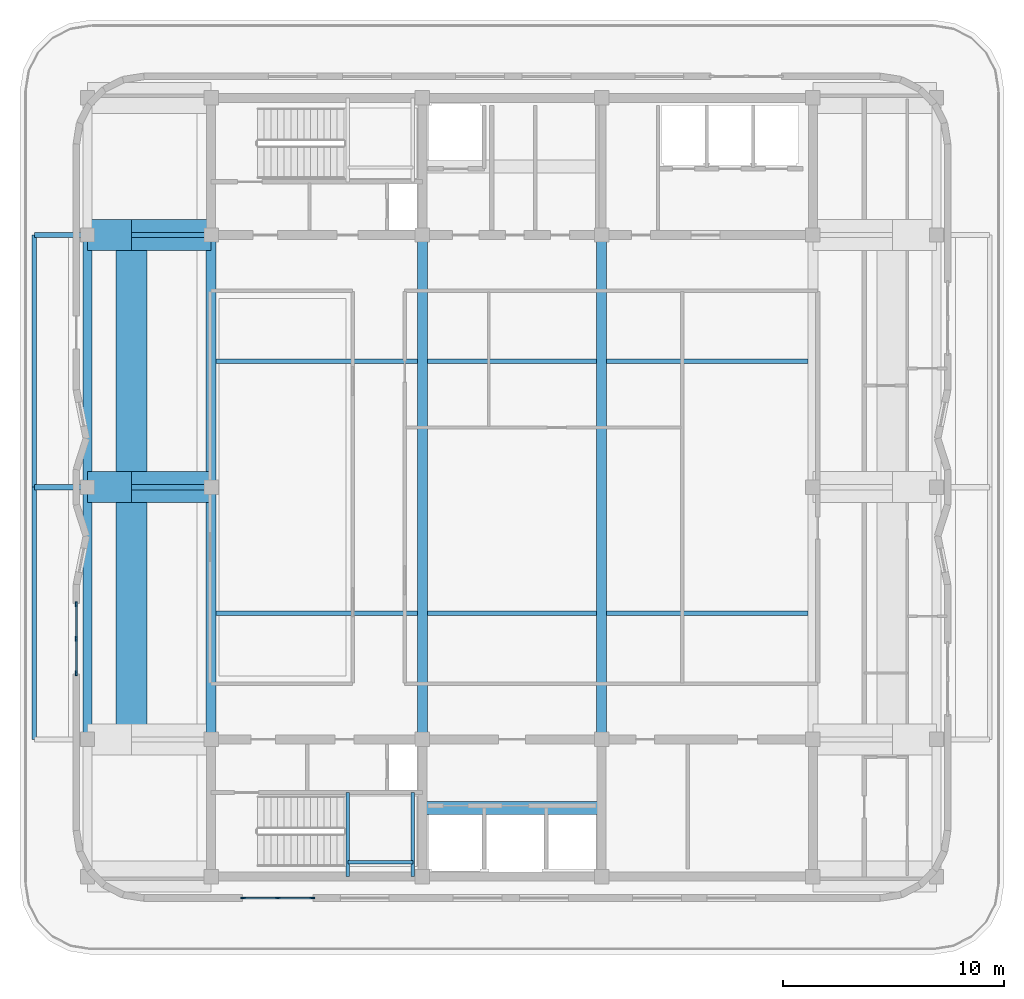
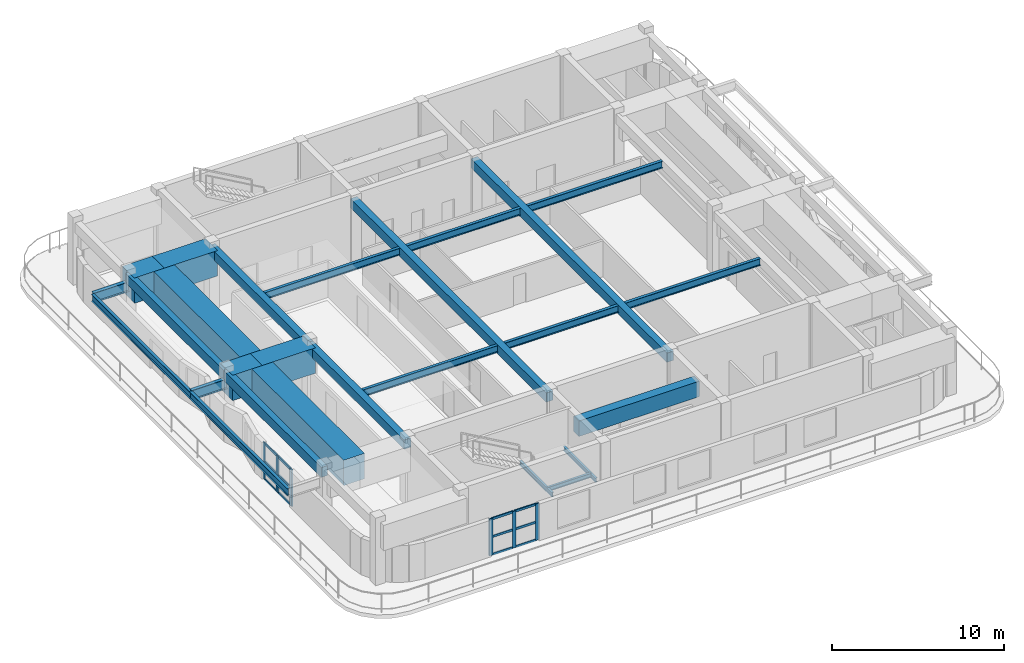
# One storey, part 2 of 12: 26 beams, 18 members, 2 elements without a shape of their own.
"""IFC4 building model written with IfcOpenShell, lengths in metres."""

from ifc_helpers import new_model, si_unit, direction, frame, origin, origin_2d, place, context, subcontext, project, spatial, rectangle, i_section, extrude, material, material_profile, profile_set, type_object, element, aggregate, save


model = new_model("IFC4")

# Units and contexts
model_context = context("Model", 3, precision=1e-05, world=origin(), true_north=direction((0.0, 1.0)))
body_context = subcontext(model_context, "Body", "Model", "MODEL_VIEW")
ifc_project = project(units=[si_unit("LENGTHUNIT", "METRE"), si_unit("AREAUNIT", "SQUARE_METRE"), si_unit("VOLUMEUNIT", "CUBIC_METRE"), si_unit("PLANEANGLEUNIT", "RADIAN"), si_unit("MASSUNIT", "GRAM", prefix="KILO")], contexts=[model_context])

# Site, building, storey
site_placement = place(None, origin())
site = spatial("IfcSite", under=ifc_project, at=site_placement, CompositionType="ELEMENT")
building_placement = place(site_placement, origin())
building = spatial("IfcBuilding", under=site, at=building_placement, Name="Svetorya Sky Lyceum", CompositionType="ELEMENT")
storey_placement = place(building_placement, frame((0.0, 0.0, 297.199951171875)))
storey = spatial("IfcBuildingStorey", under=building, at=storey_placement, Name="L75", CompositionType="ELEMENT", Elevation=297.199951171875)

# Beams
ifc_material_1 = material(Name="Concrete C60/75", Category="concrete")
ifc_material_profile_1 = material_profile(ifc_material_1, rectangle(XDim=0.60009765625, YDim=1.10009765625, at=origin_2d()), Name="RC COUPLING 600x1100")
ifc_profile_set_1 = profile_set([ifc_material_profile_1], Name="Concrete C60/75")
beam_type_1 = type_object("IfcBeamType", Name="BM-CPL-1100", PredefinedType="LINTEL", material=ifc_profile_set_1)
beam_1_placement = place(storey_placement, frame((35.14990234375, 13.699951171875, 3.85009765625), z_axis=(1.0, 0.0, 0.0), x_axis=(0.0, 1.0, 0.0)))
element("IfcBeam", 1, at=beam_1_placement, inside=storey, type_object=beam_type_1, Name="L75 SC Core Coupling Beam", PredefinedType="LINTEL", context=body_context, shape_type="SweptSolid", body=[
    extrude(rectangle(XDim=0.60009765625, YDim=1.10009765625, at=origin_2d()), origin(), (0.0, 0.0, 1.0), 8.10009765625),
])
ifc_material_2 = material(Name="Concrete C40/50", Category="concrete")
ifc_material_profile_2 = material_profile(ifc_material_2, rectangle(XDim=0.449951171875, YDim=0.64990234375, at=origin_2d()), Name="RC BEAM 450x650")
ifc_profile_set_2 = profile_set([ifc_material_profile_2], Name="Concrete C40/50")
beam_type_2 = type_object("IfcBeamType", Name="BM-RC-650", PredefinedType="BEAM", material=ifc_profile_set_2)
beam_2_placement = place(storey_placement, frame((25.60009765625, 16.800048828125, 4.074951171875), z_axis=(0.0, 1.0, 0.0), x_axis=(-1.0, 0.0, 0.0)))
element("IfcBeam", 2, at=beam_2_placement, inside=storey, type_object=beam_type_2, Name="L75 Central Bay Primary Girder CG-1A", PredefinedType="BEAM", context=body_context, shape_type="SweptSolid", body=[
    extrude(rectangle(XDim=0.449951171875, YDim=0.64990234375, at=origin_2d()), origin(), (0.0, 0.0, 1.0), 11.39990234375),
])
beam_3_placement = place(storey_placement, frame((25.60009765625, 28.199951171875, 4.074951171875), z_axis=(0.0, 1.0, 0.0), x_axis=(-1.0, 0.0, 0.0)))
element("IfcBeam", 3, at=beam_3_placement, inside=storey, type_object=beam_type_2, Name="L75 Central Bay Primary Girder CG-1B", PredefinedType="BEAM", context=body_context, shape_type="SweptSolid", body=[
    extrude(rectangle(XDim=0.449951171875, YDim=0.64990234375, at=origin_2d()), origin(), (0.0, 0.0, 1.0), 11.400146484375),
])
for number, where, z_axis, x_axis, name in (
    (4, (35.14990234375, 16.800048828125, 4.074951171875), (0.0, 1.0, 0.0), (-1.0, 0.0, 0.0), "L75 Central Bay Primary Girder CG-2"),
    (5, (43.25, 16.800048828125, 4.074951171875), (0.0, 1.0, 0.0), (-1.0, 0.0, 0.0), "L75 Central Bay Primary Girder CG-3"),
):
    element("IfcBeam", number, at=place(storey_placement, frame(where, z_axis=z_axis, x_axis=x_axis)), inside=storey, type_object=beam_type_2, Name=name, PredefinedType="BEAM", context=body_context, shape_type="SweptSolid", body=[
        extrude(rectangle(XDim=0.449951171875, YDim=0.64990234375, at=origin_2d()), origin(), (0.0, 0.0, 1.0), 22.800048828125),
    ])
ifc_material_3 = material(Name="Concrete C50/60", Category="concrete")
ifc_material_profile_3 = material_profile(ifc_material_3, rectangle(XDim=0.39990234375, YDim=0.699951171875, at=origin_2d()), Name="RC SPANDREL 400x700")
ifc_profile_set_3 = profile_set([ifc_material_profile_3], Name="Concrete C50/60")
beam_type_3 = type_object("IfcBeamType", Name="BM-SPN-700", PredefinedType="SPANDREL", material=ifc_profile_set_3)
beam_4_placement = place(storey_placement, frame((20.010009765625, 16.800048828125, 4.050048828125), z_axis=(0.0, 1.0, 0.0), x_axis=(-1.0, 0.0, 0.0)))
element("IfcBeam", 6, at=beam_4_placement, inside=storey, type_object=beam_type_3, Name="L75 West Spandrel 2", PredefinedType="SPANDREL", context=body_context, shape_type="SweptSolid", body=[
    extrude(rectangle(XDim=0.39990234375, YDim=0.699951171875, at=origin_2d()), origin(), (0.0, 0.0, 1.0), 11.39990234375),
])
beam_5_placement = place(storey_placement, frame((20.010009765625, 28.199951171875, 4.050048828125), z_axis=(0.0, 1.0, 0.0), x_axis=(-1.0, 0.0, 0.0)))
element("IfcBeam", 7, at=beam_5_placement, inside=storey, type_object=beam_type_3, Name="L75 West Spandrel 3", PredefinedType="SPANDREL", context=body_context, shape_type="SweptSolid", body=[
    extrude(rectangle(XDim=0.39990234375, YDim=0.699951171875, at=origin_2d()), origin(), (0.0, 0.0, 1.0), 11.400146484375),
])
ifc_material_4 = material(Name="Steel S355", Category="steel")
ifc_material_profile_4 = material_profile(ifc_material_4, i_section(OverallWidth=0.14990234375, OverallDepth=0.299072265625, WebThickness=0.006591796875, FlangeThickness=0.010498046875, at=origin_2d()), Name="GOST 30B2")
ifc_profile_set_4 = profile_set([ifc_material_profile_4], Name="Steel S355")
beam_type_4 = type_object("IfcBeamType", Name="BM-STL-30B2", PredefinedType="JOIST", material=ifc_profile_set_4)
for number, where, z_axis, x_axis, name in (
    (8, (31.780029296875, 10.60009765625, 2.050537109375), (0.0, 1.0, 0.0), (-1.0, 0.0, 0.0), "L75 Stair ST-S Half-Landing Support Beam 83.1"),
    (9, (34.719970703125, 10.60009765625, 2.050537109375), (0.0, 1.0, 0.0), (-1.0, 0.0, 0.0), "L75 Stair ST-S Half-Landing Support Beam 83.2"),
):
    element("IfcBeam", number, at=place(storey_placement, frame(where, z_axis=z_axis, x_axis=x_axis)), inside=storey, type_object=beam_type_4, Name=name, PredefinedType="JOIST", context=body_context, shape_type="SweptSolid", body=[
        extrude(i_section(OverallWidth=0.14990234375, OverallDepth=0.299072265625, WebThickness=0.006591796875, FlangeThickness=0.010498046875, at=origin_2d()), origin(), (0.0, 0.0, 1.0), 3.7998046875),
    ])
beam_6_placement = place(storey_placement, frame((31.780029296875, 11.25, 2.050537109375), z_axis=(1.0, 0.0, 0.0), x_axis=(0.0, 1.0, 0.0)))
element("IfcBeam", 10, at=beam_6_placement, inside=storey, type_object=beam_type_4, Name="L75 Stair ST-S Half-Landing Cross Tie 83", PredefinedType="JOIST", context=body_context, shape_type="SweptSolid", body=[
    extrude(i_section(OverallWidth=0.14990234375, OverallDepth=0.299072265625, WebThickness=0.006591796875, FlangeThickness=0.010498046875, at=origin_2d()), origin(), (0.0, 0.0, 1.0), 2.93994140625),
])
ifc_material_profile_5 = material_profile(ifc_material_4, i_section(OverallWidth=0.198974609375, OverallDepth=0.498046875, WebThickness=0.010009765625, FlangeThickness=0.01611328125, at=origin_2d()), Name="GOST 50B2")
ifc_profile_set_5 = profile_set([ifc_material_profile_5], Name="Steel S355")
beam_type_5 = type_object("IfcBeamType", Name="BM-STL-50B2", PredefinedType="BEAM", material=ifc_profile_set_5)
beam_7_placement = place(storey_placement, frame((25.824951171875, 22.5, 4.151123046875), z_axis=(1.0, 0.0, 0.0), x_axis=(0.0, 1.0, 0.0)))
element("IfcBeam", 11, at=beam_7_placement, inside=storey, type_object=beam_type_5, Name="L75 Central Floor Joist CJ-1.1", PredefinedType="BEAM", context=body_context, shape_type="SweptSolid", body=[
    extrude(i_section(OverallWidth=0.198974609375, OverallDepth=0.498046875, WebThickness=0.010009765625, FlangeThickness=0.01611328125, at=origin_2d()), origin(), (0.0, 0.0, 1.0), 9.10009765625),
])
beam_8_placement = place(storey_placement, frame((35.375, 22.5, 4.151123046875), z_axis=(1.0, 0.0, 0.0), x_axis=(0.0, 1.0, 0.0)))
element("IfcBeam", 12, at=beam_8_placement, inside=storey, type_object=beam_type_5, Name="L75 Central Floor Joist CJ-1.2", PredefinedType="BEAM", context=body_context, shape_type="SweptSolid", body=[
    extrude(i_section(OverallWidth=0.198974609375, OverallDepth=0.498046875, WebThickness=0.010009765625, FlangeThickness=0.01611328125, at=origin_2d()), origin(), (0.0, 0.0, 1.0), 7.64990234375),
])
beam_9_placement = place(storey_placement, frame((43.47509765625, 22.5, 4.151123046875), z_axis=(1.0, 0.0, 0.0), x_axis=(0.0, 1.0, 0.0)))
element("IfcBeam", 13, at=beam_9_placement, inside=storey, type_object=beam_type_5, Name="L75 Central Floor Joist CJ-1.3", PredefinedType="BEAM", context=body_context, shape_type="SweptSolid", body=[
    extrude(i_section(OverallWidth=0.198974609375, OverallDepth=0.498046875, WebThickness=0.010009765625, FlangeThickness=0.01611328125, at=origin_2d()), origin(), (0.0, 0.0, 1.0), 9.099853515625),
])
beam_10_placement = place(storey_placement, frame((25.824951171875, 33.89990234375, 4.151123046875), z_axis=(1.0, 0.0, 0.0), x_axis=(0.0, 1.0, 0.0)))
element("IfcBeam", 14, at=beam_10_placement, inside=storey, type_object=beam_type_5, Name="L75 Central Floor Joist CJ-3.1", PredefinedType="BEAM", context=body_context, shape_type="SweptSolid", body=[
    extrude(i_section(OverallWidth=0.198974609375, OverallDepth=0.498046875, WebThickness=0.010009765625, FlangeThickness=0.01611328125, at=origin_2d()), origin(), (0.0, 0.0, 1.0), 9.10009765625),
])
beam_11_placement = place(storey_placement, frame((35.375, 33.89990234375, 4.151123046875), z_axis=(1.0, 0.0, 0.0), x_axis=(0.0, 1.0, 0.0)))
element("IfcBeam", 15, at=beam_11_placement, inside=storey, type_object=beam_type_5, Name="L75 Central Floor Joist CJ-3.2", PredefinedType="BEAM", context=body_context, shape_type="SweptSolid", body=[
    extrude(i_section(OverallWidth=0.198974609375, OverallDepth=0.498046875, WebThickness=0.010009765625, FlangeThickness=0.01611328125, at=origin_2d()), origin(), (0.0, 0.0, 1.0), 7.64990234375),
])
beam_12_placement = place(storey_placement, frame((43.47509765625, 33.89990234375, 4.151123046875), z_axis=(1.0, 0.0, 0.0), x_axis=(0.0, 1.0, 0.0)))
element("IfcBeam", 16, at=beam_12_placement, inside=storey, type_object=beam_type_5, Name="L75 Central Floor Joist CJ-3.3", PredefinedType="BEAM", context=body_context, shape_type="SweptSolid", body=[
    extrude(i_section(OverallWidth=0.198974609375, OverallDepth=0.498046875, WebThickness=0.010009765625, FlangeThickness=0.01611328125, at=origin_2d()), origin(), (0.0, 0.0, 1.0), 9.099853515625),
])
beam_13_placement = place(storey_placement, frame((17.610107421875, 16.800048828125, 3.449951171875), z_axis=(0.0, 1.0, 0.0), x_axis=(-1.0, 0.0, 0.0)))
element("IfcBeam", 17, at=beam_13_placement, inside=storey, type_object=beam_type_5, Name="Orbital Canopy Edge Ring Beam W1", PredefinedType="BEAM", context=body_context, shape_type="SweptSolid", body=[
    extrude(i_section(OverallWidth=0.198974609375, OverallDepth=0.498046875, WebThickness=0.010009765625, FlangeThickness=0.01611328125, at=origin_2d()), origin(), (0.0, 0.0, 1.0), 11.39990234375),
])
beam_14_placement = place(storey_placement, frame((17.610107421875, 28.199951171875, 3.449951171875), z_axis=(0.0, 1.0, 0.0), x_axis=(-1.0, 0.0, 0.0)))
element("IfcBeam", 18, at=beam_14_placement, inside=storey, type_object=beam_type_5, Name="Orbital Canopy Edge Ring Beam W2", PredefinedType="BEAM", context=body_context, shape_type="SweptSolid", body=[
    extrude(i_section(OverallWidth=0.198974609375, OverallDepth=0.498046875, WebThickness=0.010009765625, FlangeThickness=0.01611328125, at=origin_2d()), origin(), (0.0, 0.0, 1.0), 11.400146484375),
])
ifc_material_profile_6 = material_profile(ifc_material_4, i_section(OverallWidth=0.239990234375, OverallDepth=0.697998046875, WebThickness=0.013427734375, FlangeThickness=0.021484375, at=origin_2d()), Name="GOST 70B2")
ifc_profile_set_6 = profile_set([ifc_material_profile_6], Name="Steel S355")
beam_type_6 = type_object("IfcBeamType", Name="BM-STL-70B2", PredefinedType="BEAM", material=ifc_profile_set_6)
for number, where, z_axis, x_axis, name in (
    (19, (25.60009765625, 28.199951171875, 3.449951171875), (-1.0, 0.0, 0.0), (0.0, -1.0, 0.0), "Orbital Canopy Backspanned Girder W2"),
    (20, (25.60009765625, 39.60009765625, 3.449951171875), (-1.0, 0.0, 0.0), (0.0, -1.0, 0.0), "Orbital Canopy Backspanned Girder W3"),
):
    element("IfcBeam", number, at=place(storey_placement, frame(where, z_axis=z_axis, x_axis=x_axis)), inside=storey, type_object=beam_type_6, Name=name, PredefinedType="BEAM", context=body_context, shape_type="SweptSolid", body=[
        extrude(i_section(OverallWidth=0.239990234375, OverallDepth=0.697998046875, WebThickness=0.013427734375, FlangeThickness=0.021484375, at=origin_2d()), origin(), (0.0, 0.0, 1.0), 7.989990234375),
    ])
ifc_material_profile_7 = material_profile(ifc_material_1, rectangle(XDim=1.39990234375, YDim=1.800048828125, at=origin_2d()), Name="RC TRANSFER 1400x1800")
ifc_profile_set_7 = profile_set([ifc_material_profile_7], Name="Concrete C60/75")
beam_type_7 = type_object("IfcBeamType", Name="BM-TRF-2200", PredefinedType="BEAM", material=ifc_profile_set_7)
beam_15_placement = place(storey_placement, frame((20.010009765625, 28.199951171875, 3.5), z_axis=(1.0, 0.0, 0.0), x_axis=(0.0, 1.0, 0.0)))
element("IfcBeam", 21, at=beam_15_placement, inside=storey, type_object=beam_type_7, Name="L75 West Outer Transfer Girder 3", PredefinedType="BEAM", context=body_context, shape_type="SweptSolid", body=[
    extrude(rectangle(XDim=1.39990234375, YDim=1.800048828125, at=origin_2d()), origin(), (0.0, 0.0, 1.0), 2.0),
])
beam_16_placement = place(storey_placement, frame((22.010009765625, 28.199951171875, 3.5), z_axis=(1.0, 0.0, 0.0), x_axis=(0.0, 1.0, 0.0)))
element("IfcBeam", 22, at=beam_16_placement, inside=storey, type_object=beam_type_7, Name="L75 West Inner Transfer Girder 3", PredefinedType="BEAM", context=body_context, shape_type="SweptSolid", body=[
    extrude(rectangle(XDim=1.39990234375, YDim=1.800048828125, at=origin_2d()), origin(), (0.0, 0.0, 1.0), 3.590087890625),
])
beam_17_placement = place(storey_placement, frame((20.010009765625, 39.60009765625, 3.5), z_axis=(1.0, 0.0, 0.0), x_axis=(0.0, 1.0, 0.0)))
element("IfcBeam", 23, at=beam_17_placement, inside=storey, type_object=beam_type_7, Name="L75 West Outer Transfer Girder 4", PredefinedType="BEAM", context=body_context, shape_type="SweptSolid", body=[
    extrude(rectangle(XDim=1.39990234375, YDim=1.800048828125, at=origin_2d()), origin(), (0.0, 0.0, 1.0), 2.0),
])
beam_18_placement = place(storey_placement, frame((22.010009765625, 39.60009765625, 3.5), z_axis=(1.0, 0.0, 0.0), x_axis=(0.0, 1.0, 0.0)))
element("IfcBeam", 24, at=beam_18_placement, inside=storey, type_object=beam_type_7, Name="L75 West Inner Transfer Girder 4", PredefinedType="BEAM", context=body_context, shape_type="SweptSolid", body=[
    extrude(rectangle(XDim=1.39990234375, YDim=1.800048828125, at=origin_2d()), origin(), (0.0, 0.0, 1.0), 3.590087890625),
])
beam_19_placement = place(storey_placement, frame((22.010009765625, 16.800048828125, 3.5), z_axis=(0.0, 1.0, 0.0), x_axis=(-1.0, 0.0, 0.0)))
element("IfcBeam", 25, at=beam_19_placement, inside=storey, type_object=beam_type_7, Name="L75 West Setback Transfer Girder 1", PredefinedType="BEAM", context=body_context, shape_type="SweptSolid", body=[
    extrude(rectangle(XDim=1.39990234375, YDim=1.800048828125, at=origin_2d()), origin(), (0.0, 0.0, 1.0), 11.39990234375),
])
beam_20_placement = place(storey_placement, frame((22.010009765625, 28.199951171875, 3.5), z_axis=(0.0, 1.0, 0.0), x_axis=(-1.0, 0.0, 0.0)))
element("IfcBeam", 26, at=beam_20_placement, inside=storey, type_object=beam_type_7, Name="L75 West Setback Transfer Girder 2", PredefinedType="BEAM", context=body_context, shape_type="SweptSolid", body=[
    extrude(rectangle(XDim=1.39990234375, YDim=1.800048828125, at=origin_2d()), origin(), (0.0, 0.0, 1.0), 11.400146484375),
])

# Curtain wall, members
ifc_material_5 = material(Name="Thermally broken anodized aluminium and triple low-E glass", Category="aluminium")
curtain_wall_type = type_object("IfcCurtainWallType", Name="CW6-CRN-OBS", PredefinedType="NOTDEFINED", material=ifc_material_5)
curtain_wall_1_placement = place(storey_placement, origin())
curtain_wall_1 = element("IfcCurtainWall", 27, at=curtain_wall_1_placement, inside=storey, type_object=curtain_wall_type, Name="L75 Observatory Curtain Wall 6", PredefinedType="NOTDEFINED")
ifc_material_6 = material(Name="Thermally broken anodized aluminium EN AW-6060", Category="aluminium")
ifc_material_profile_8 = material_profile(ifc_material_6, rectangle(XDim=0.0849609375, YDim=0.239990234375, at=origin_2d()), Name="ALU MULLION 85x240")
ifc_profile_set_8 = profile_set([ifc_material_profile_8], Name="Thermally broken anodized aluminium EN AW-6060")
member_type_1 = type_object("IfcMemberType", Name="CWM-MUL-240", PredefinedType="MULLION", material=ifc_profile_set_8)
member_1_placement = place(storey_placement, frame((27.052490234375, 9.6298828125, 0.0), z_axis=(0.0, 0.0, 1.0), x_axis=(0.0, 1.0, 0.0)))
member_1 = element("IfcMember", 28, at=member_1_placement, type_object=member_type_1, Name="CW-6 mullion 1", PredefinedType="MULLION", context=body_context, shape_type="SweptSolid", body=[
    extrude(rectangle(XDim=0.0849609375, YDim=0.239990234375, at=origin_2d()), origin(), (0.0, 0.0, 1.0), 2.60009765625),
])
member_2_placement = place(storey_placement, frame((28.610107421875, 9.6298828125, 0.0), z_axis=(0.0, 0.0, 1.0), x_axis=(0.0, 1.0, 0.0)))
member_2 = element("IfcMember", 29, at=member_2_placement, type_object=member_type_1, Name="CW-6 mullion 2", PredefinedType="MULLION", context=body_context, shape_type="SweptSolid", body=[
    extrude(rectangle(XDim=0.0849609375, YDim=0.239990234375, at=origin_2d()), origin(), (0.0, 0.0, 1.0), 2.60009765625),
])
member_3_placement = place(storey_placement, frame((30.16748046875, 9.6298828125, 0.0), z_axis=(0.0, 0.0, 1.0), x_axis=(0.0, 1.0, 0.0)))
member_3 = element("IfcMember", 30, at=member_3_placement, type_object=member_type_1, Name="CW-6 mullion 3", PredefinedType="MULLION", context=body_context, shape_type="SweptSolid", body=[
    extrude(rectangle(XDim=0.0849609375, YDim=0.239990234375, at=origin_2d()), origin(), (0.0, 0.0, 1.0), 2.60009765625),
])

curtain_wall_2_placement = place(storey_placement, origin())
curtain_wall_2 = element("IfcCurtainWall", 31, at=curtain_wall_2_placement, inside=storey, type_object=curtain_wall_type, Name="L75 Observatory Curtain Wall 36", PredefinedType="NOTDEFINED")
member_4_placement = place(storey_placement, frame((19.510009765625, 22.907470703125, 0.0), z_axis=(0.0, 0.0, 1.0), x_axis=(1.0, 0.0, 0.0)))
member_4 = element("IfcMember", 32, at=member_4_placement, type_object=member_type_1, Name="CW-6 mullion 1", PredefinedType="MULLION", context=body_context, shape_type="SweptSolid", body=[
    extrude(rectangle(XDim=0.0849609375, YDim=0.239990234375, at=origin_2d()), origin(), (0.0, 0.0, 1.0), 2.60009765625),
])
member_5_placement = place(storey_placement, frame((19.510009765625, 21.35009765625, 0.0), z_axis=(0.0, 0.0, 1.0), x_axis=(1.0, 0.0, 0.0)))
member_5 = element("IfcMember", 33, at=member_5_placement, type_object=member_type_1, Name="CW-6 mullion 2", PredefinedType="MULLION", context=body_context, shape_type="SweptSolid", body=[
    extrude(rectangle(XDim=0.0849609375, YDim=0.239990234375, at=origin_2d()), origin(), (0.0, 0.0, 1.0), 2.60009765625),
])
member_6_placement = place(storey_placement, frame((19.510009765625, 19.79248046875, 0.0), z_axis=(0.0, 0.0, 1.0), x_axis=(1.0, 0.0, 0.0)))
member_6 = element("IfcMember", 34, at=member_6_placement, type_object=member_type_1, Name="CW-6 mullion 3", PredefinedType="MULLION", context=body_context, shape_type="SweptSolid", body=[
    extrude(rectangle(XDim=0.0849609375, YDim=0.239990234375, at=origin_2d()), origin(), (0.0, 0.0, 1.0), 2.60009765625),
])

# Member
ifc_material_profile_9 = material_profile(ifc_material_6, rectangle(XDim=0.074951171875, YDim=0.159912109375, at=origin_2d()), Name="ALU TRANSOM 75x160")
ifc_profile_set_9 = profile_set([ifc_material_profile_9], Name="Thermally broken anodized aluminium EN AW-6060")
member_type_2 = type_object("IfcMemberType", Name="CWM-TRN-160", PredefinedType="USERDEFINED", material=ifc_profile_set_9)
member_7_placement = place(storey_placement, frame((27.093505859375, 9.6298828125, 0.03759765625), z_axis=(1.0, 0.0, 0.0), x_axis=(0.0, 1.0, 0.0)))
member_7 = element("IfcMember", 35, at=member_7_placement, type_object=member_type_2, Name="CW-6 transom 1.1", ObjectType="TRANSOM", PredefinedType="USERDEFINED", context=body_context, shape_type="SweptSolid", body=[
    extrude(rectangle(XDim=0.074951171875, YDim=0.159912109375, at=origin_2d()), origin(), (0.0, 0.0, 1.0), 1.4755859375),
])

member_8_placement = place(storey_placement, frame((27.093505859375, 9.6298828125, 1.300048828125), z_axis=(1.0, 0.0, 0.0), x_axis=(0.0, 1.0, 0.0)))
member_8 = element("IfcMember", 36, at=member_8_placement, type_object=member_type_2, Name="CW-6 transom 1.2", ObjectType="TRANSOM", PredefinedType="USERDEFINED", context=body_context, shape_type="SweptSolid", body=[
    extrude(rectangle(XDim=0.074951171875, YDim=0.159912109375, at=origin_2d()), origin(), (0.0, 0.0, 1.0), 1.4755859375),
])

member_9_placement = place(storey_placement, frame((27.093505859375, 9.6298828125, 2.5625), z_axis=(1.0, 0.0, 0.0), x_axis=(0.0, 1.0, 0.0)))
member_9 = element("IfcMember", 37, at=member_9_placement, type_object=member_type_2, Name="CW-6 transom 1.3", ObjectType="TRANSOM", PredefinedType="USERDEFINED", context=body_context, shape_type="SweptSolid", body=[
    extrude(rectangle(XDim=0.074951171875, YDim=0.159912109375, at=origin_2d()), origin(), (0.0, 0.0, 1.0), 1.4755859375),
])

member_10_placement = place(storey_placement, frame((28.65087890625, 9.6298828125, 0.03759765625), z_axis=(1.0, 0.0, 0.0), x_axis=(0.0, 1.0, 0.0)))
member_10 = element("IfcMember", 38, at=member_10_placement, type_object=member_type_2, Name="CW-6 transom 2.1", ObjectType="TRANSOM", PredefinedType="USERDEFINED", context=body_context, shape_type="SweptSolid", body=[
    extrude(rectangle(XDim=0.074951171875, YDim=0.159912109375, at=origin_2d()), origin(), (0.0, 0.0, 1.0), 1.4755859375),
])

member_11_placement = place(storey_placement, frame((28.65087890625, 9.6298828125, 1.300048828125), z_axis=(1.0, 0.0, 0.0), x_axis=(0.0, 1.0, 0.0)))
member_11 = element("IfcMember", 39, at=member_11_placement, type_object=member_type_2, Name="CW-6 transom 2.2", ObjectType="TRANSOM", PredefinedType="USERDEFINED", context=body_context, shape_type="SweptSolid", body=[
    extrude(rectangle(XDim=0.074951171875, YDim=0.159912109375, at=origin_2d()), origin(), (0.0, 0.0, 1.0), 1.4755859375),
])

member_12_placement = place(storey_placement, frame((28.65087890625, 9.6298828125, 2.5625), z_axis=(1.0, 0.0, 0.0), x_axis=(0.0, 1.0, 0.0)))
member_12 = element("IfcMember", 40, at=member_12_placement, type_object=member_type_2, Name="CW-6 transom 2.3", ObjectType="TRANSOM", PredefinedType="USERDEFINED", context=body_context, shape_type="SweptSolid", body=[
    extrude(rectangle(XDim=0.074951171875, YDim=0.159912109375, at=origin_2d()), origin(), (0.0, 0.0, 1.0), 1.4755859375),
])

aggregate(curtain_wall_1, [member_1, member_2, member_3, member_7, member_8, member_9, member_10, member_11, member_12])

member_13_placement = place(storey_placement, frame((19.510009765625, 22.866455078125, 0.03759765625), z_axis=(0.0, -1.0, 0.0), x_axis=(1.0, 0.0, 0.0)))
member_13 = element("IfcMember", 41, at=member_13_placement, type_object=member_type_2, Name="CW-6 transom 1.1", ObjectType="TRANSOM", PredefinedType="USERDEFINED", context=body_context, shape_type="SweptSolid", body=[
    extrude(rectangle(XDim=0.074951171875, YDim=0.159912109375, at=origin_2d()), origin(), (0.0, 0.0, 1.0), 1.475341796875),
])

member_14_placement = place(storey_placement, frame((19.510009765625, 22.866455078125, 1.300048828125), z_axis=(0.0, -1.0, 0.0), x_axis=(1.0, 0.0, 0.0)))
member_14 = element("IfcMember", 42, at=member_14_placement, type_object=member_type_2, Name="CW-6 transom 1.2", ObjectType="TRANSOM", PredefinedType="USERDEFINED", context=body_context, shape_type="SweptSolid", body=[
    extrude(rectangle(XDim=0.074951171875, YDim=0.159912109375, at=origin_2d()), origin(), (0.0, 0.0, 1.0), 1.475341796875),
])

member_15_placement = place(storey_placement, frame((19.510009765625, 22.866455078125, 2.5625), z_axis=(0.0, -1.0, 0.0), x_axis=(1.0, 0.0, 0.0)))
member_15 = element("IfcMember", 43, at=member_15_placement, type_object=member_type_2, Name="CW-6 transom 1.3", ObjectType="TRANSOM", PredefinedType="USERDEFINED", context=body_context, shape_type="SweptSolid", body=[
    extrude(rectangle(XDim=0.074951171875, YDim=0.159912109375, at=origin_2d()), origin(), (0.0, 0.0, 1.0), 1.475341796875),
])

member_16_placement = place(storey_placement, frame((19.510009765625, 21.30908203125, 0.03759765625), z_axis=(0.0, -1.0, 0.0), x_axis=(1.0, 0.0, 0.0)))
member_16 = element("IfcMember", 44, at=member_16_placement, type_object=member_type_2, Name="CW-6 transom 2.1", ObjectType="TRANSOM", PredefinedType="USERDEFINED", context=body_context, shape_type="SweptSolid", body=[
    extrude(rectangle(XDim=0.074951171875, YDim=0.159912109375, at=origin_2d()), origin(), (0.0, 0.0, 1.0), 1.4755859375),
])

member_17_placement = place(storey_placement, frame((19.510009765625, 21.30908203125, 1.300048828125), z_axis=(0.0, -1.0, 0.0), x_axis=(1.0, 0.0, 0.0)))
member_17 = element("IfcMember", 45, at=member_17_placement, type_object=member_type_2, Name="CW-6 transom 2.2", ObjectType="TRANSOM", PredefinedType="USERDEFINED", context=body_context, shape_type="SweptSolid", body=[
    extrude(rectangle(XDim=0.074951171875, YDim=0.159912109375, at=origin_2d()), origin(), (0.0, 0.0, 1.0), 1.4755859375),
])

member_18_placement = place(storey_placement, frame((19.510009765625, 21.30908203125, 2.5625), z_axis=(0.0, -1.0, 0.0), x_axis=(1.0, 0.0, 0.0)))
member_18 = element("IfcMember", 46, at=member_18_placement, type_object=member_type_2, Name="CW-6 transom 2.3", ObjectType="TRANSOM", PredefinedType="USERDEFINED", context=body_context, shape_type="SweptSolid", body=[
    extrude(rectangle(XDim=0.074951171875, YDim=0.159912109375, at=origin_2d()), origin(), (0.0, 0.0, 1.0), 1.4755859375),
])

aggregate(curtain_wall_2, [member_4, member_5, member_6, member_13, member_14, member_15, member_16, member_17, member_18])

save(model, "model.ifc")
